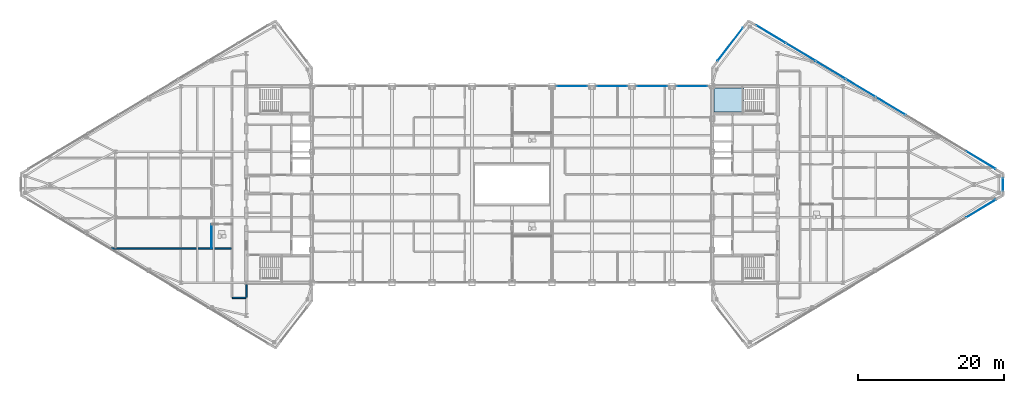
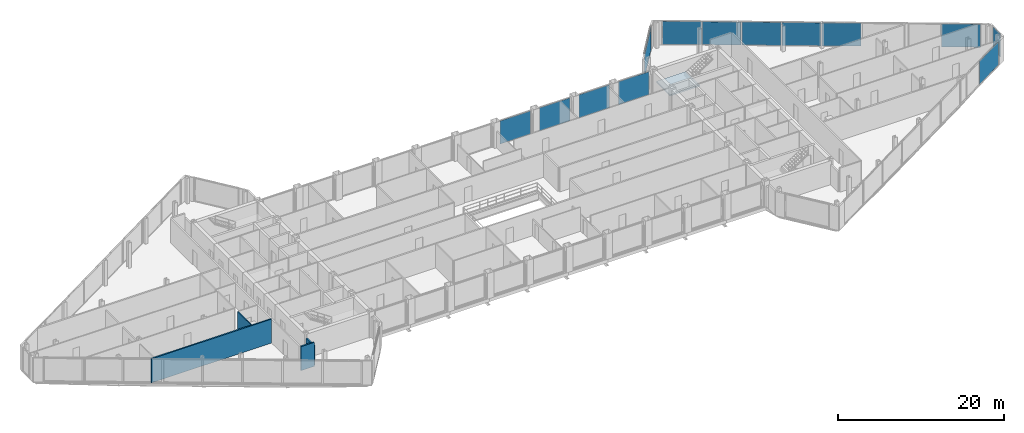
# One storey, part 20 of 29: 13 plates, 4 walls, 1 slab, 9 elements without a shape of their own.
"""IFC4 building model written with IfcOpenShell, lengths in metres."""

from ifc_helpers import new_model, si_unit, direction, frame, frame_2d, origin, origin_2d, place, context, subcontext, project, spatial, polyline, rectangle, outline, extrude, source, transform, mapped, material, layer, layer_set, type_object, type_shapes, element, aggregate, save


model = new_model("IFC4")

# Units and contexts
model_context = context("Model", 3, precision=1e-05, world=origin(), true_north=direction((0.0, 1.0)))
body_context = subcontext(model_context, "Body", "Model", "MODEL_VIEW")
ifc_project = project(units=[si_unit("LENGTHUNIT", "METRE"), si_unit("AREAUNIT", "SQUARE_METRE"), si_unit("VOLUMEUNIT", "CUBIC_METRE"), si_unit("PLANEANGLEUNIT", "RADIAN"), si_unit("MASSUNIT", "GRAM", prefix="KILO")], contexts=[model_context])

# Site, building, storey
site_placement = place(None, origin())
site = spatial("IfcSite", under=ifc_project, at=site_placement, CompositionType="ELEMENT")
building_placement = place(site_placement, origin())
building = spatial("IfcBuilding", under=site, at=building_placement, Name="Seokmaru Belvedere", CompositionType="ELEMENT")
storey_placement = place(building_placement, frame((0.0, 0.0, 243.14990234375)))
storey = spatial("IfcBuildingStorey", under=building, at=storey_placement, Name="L64", CompositionType="ELEMENT", Elevation=243.14990234375)

# Stair, slab
ifc_material_1 = material(Name="Concrete C40 (40 MPa)", Category="concrete")
stair_type = type_object("IfcStairType", Name="Sky-Gate Residential Core Dog-Leg Stair 3750", PredefinedType="TWO_STRAIGHT_RUN_STAIR", material=ifc_material_1)
stair_placement = place(storey_placement, origin())
stair = element("IfcStair", 1, at=stair_placement, inside=storey, type_object=stair_type, Name="L64 Special Escape Stair ST-E2", PredefinedType="TWO_STRAIGHT_RUN_STAIR")
ifc_layer_1 = layer(ifc_material_1, 0.199951171875)
ifc_layer_set_1 = layer_set([ifc_layer_1], Name="Concrete C40 (40 MPa)")
slab_type = type_object("IfcSlabType", Name="Reinforced Concrete Stair Landing Slab 200", PredefinedType="LANDING", material=ifc_layer_set_1)
slab_placement = place(storey_placement, frame((0.0, 0.0, 1.675048828125)))
slab = element("IfcSlab", 2, at=slab_placement, type_object=slab_type, Name="ST-E2 landing 1", PredefinedType="LANDING", context=body_context, shape_type="SweptSolid", body=[
    extrude(outline(polyline([(27.760009765625, 9.949951171875), (31.8798828125, 9.949951171875), (31.8798828125, 13.239990234375), (27.760009765625, 13.239990234375), (27.760009765625, 9.949951171875)])), origin(), (0.0, 0.0, 1.0), 0.199951171875),
])
aggregate(stair, [slab])

# Curtain wall, plate
ifc_material_2 = material(Name="Bronze Triple Insulating Glass", Category="glass")
ifc_layer_2 = layer(ifc_material_2, 0.219970703125)
ifc_layer_set_2 = layer_set([ifc_layer_2], Name="Bronze Triple Insulating Glass")
curtain_wall_type = type_object("IfcCurtainWallType", Name="Sky-Gate Bridge Panorama Curtain Wall System CW-6", PredefinedType="NOTDEFINED", material=ifc_layer_set_2)
curtain_wall_1_placement = place(storey_placement, origin())
curtain_wall_1 = element("IfcCurtainWall", 3, at=curtain_wall_1_placement, inside=storey, type_object=curtain_wall_type, Name="L64 Curtain Wall EF4", PredefinedType="NOTDEFINED")
ifc_layer_3 = layer(ifc_material_2, 0.0419921875)
ifc_layer_set_3 = layer_set([ifc_layer_3], Name="Bronze Triple Insulating Glass")
plate_type = type_object("IfcPlateType", Name="Acoustic Laminated Panorama Glazing Panel 42", PredefinedType="CURTAIN_PANEL", material=ifc_layer_set_3)
shared_shape_1 = source(origin(), body_context, "Body", "SweptSolid", [
    extrude(rectangle(XDim=5.740478515625, YDim=0.0419921875, at=origin_2d()), origin(), (0.0, 0.0, 1.0), 3.3798828125),
])
plate_1_placement = place(storey_placement, frame((30.0, 19.25, 0.0751953125), z_axis=(0.0, 0.0, 1.0), x_axis=(-0.609701187349, -0.792631353244, 0.0)))
plate_1 = element("IfcPlate", 4, at=plate_1_placement, type_object=plate_type, Name="CW:L64:EF4 Glazing Panel 1-1", PredefinedType="CURTAIN_PANEL", context=body_context, shape_type="MappedRepresentation", body=[
    mapped(shared_shape_1, transform((0.0, 0.0, 0.0), scale=1.0)),
])
aggregate(curtain_wall_1, [plate_1])

curtain_wall_2_placement = place(storey_placement, origin())
curtain_wall_2 = element("IfcCurtainWall", 5, at=curtain_wall_2_placement, inside=storey, type_object=curtain_wall_type, Name="L64 Curtain Wall EF1", PredefinedType="NOTDEFINED")
shared_shape_2 = source(origin(), body_context, "Body", "SweptSolid", [
    extrude(rectangle(XDim=4.694580078125, YDim=0.0419921875, at=origin_2d()), origin(), (0.0, 0.0, 1.0), 3.3798828125),
])
plate_2_placement = place(storey_placement, frame((64.4326171875, -3.340576171875, 0.0751953125), z_axis=(0.0, 0.0, 1.0), x_axis=(0.85749343335, 0.514494909364, 0.0)))
plate_2 = element("IfcPlate", 6, at=plate_2_placement, type_object=plate_type, Name="CW:L64:EF1 Glazing Panel 8-1", PredefinedType="CURTAIN_PANEL", context=body_context, shape_type="MappedRepresentation", body=[
    mapped(shared_shape_2, transform((0.0, 0.0, 0.0), scale=1.0)),
])
aggregate(curtain_wall_2, [plate_2])

# Curtain wall, plates
curtain_wall_3_placement = place(storey_placement, origin())
curtain_wall_3 = element("IfcCurtainWall", 7, at=curtain_wall_3_placement, inside=storey, type_object=curtain_wall_type, Name="L64 Curtain Wall EF3", PredefinedType="NOTDEFINED")
plate_3_placement = place(storey_placement, frame((64.4326171875, 3.340576171875, 0.0751953125), z_axis=(0.0, 0.0, 1.0), x_axis=(-0.85749343335, 0.514494909364, 0.0)))
plate_3 = element("IfcPlate", 8, at=plate_3_placement, type_object=plate_type, Name="CW:L64:EF3 Glazing Panel 1-1", PredefinedType="CURTAIN_PANEL", context=body_context, shape_type="MappedRepresentation", body=[
    mapped(shared_shape_2, transform((0.0, 0.0, 0.0), scale=1.0)),
])
plate_4_placement = place(storey_placement, frame((35.5673828125, 20.659423828125, 0.0751953125), z_axis=(0.0, 0.0, 1.0), x_axis=(-0.85749343335, 0.514494909364, 0.0)))
plate_4 = element("IfcPlate", 9, at=plate_4_placement, type_object=plate_type, Name="CW:L64:EF3 Glazing Panel 8-1", PredefinedType="CURTAIN_PANEL", context=body_context, shape_type="MappedRepresentation", body=[
    mapped(shared_shape_2, transform((0.0, 0.0, 0.0), scale=1.0)),
])
shared_shape_3 = source(origin(), body_context, "Body", "SweptSolid", [
    extrude(rectangle(XDim=4.734619140625, YDim=0.0419921875, at=origin_2d()), origin(), (0.0, 0.0, 1.0), 3.3798828125),
])
plate_5_placement = place(storey_placement, frame((52.064208984375, 10.761474609375, 0.0751953125), z_axis=(0.0, 0.0, 1.0), x_axis=(-0.85749343335, 0.514494909364, 0.0)))
plate_5 = element("IfcPlate", 10, at=plate_5_placement, type_object=plate_type, Name="CW:L64:EF3 Glazing Panel 4-1", PredefinedType="CURTAIN_PANEL", context=body_context, shape_type="MappedRepresentation", body=[
    mapped(shared_shape_3, transform((0.0, 0.0, 0.0), scale=1.0)),
])
plate_6_placement = place(storey_placement, frame((47.935791015625, 13.238525390625, 0.0751953125), z_axis=(0.0, 0.0, 1.0), x_axis=(-0.85749343335, 0.514494909364, 0.0)))
plate_6 = element("IfcPlate", 11, at=plate_6_placement, type_object=plate_type, Name="CW:L64:EF3 Glazing Panel 5-1", PredefinedType="CURTAIN_PANEL", context=body_context, shape_type="MappedRepresentation", body=[
    mapped(shared_shape_3, transform((0.0, 0.0, 0.0), scale=1.0)),
])
plate_7_placement = place(storey_placement, frame((43.807373046875, 15.715576171875, 0.0751953125), z_axis=(0.0, 0.0, 1.0), x_axis=(-0.85749343335, 0.514494909364, 0.0)))
plate_7 = element("IfcPlate", 12, at=plate_7_placement, type_object=plate_type, Name="CW:L64:EF3 Glazing Panel 6-1", PredefinedType="CURTAIN_PANEL", context=body_context, shape_type="MappedRepresentation", body=[
    mapped(shared_shape_3, transform((0.0, 0.0, 0.0), scale=1.0)),
])
plate_8_placement = place(storey_placement, frame((39.6787109375, 18.192626953125, 0.0751953125), z_axis=(0.0, 0.0, 1.0), x_axis=(-0.85749343335, 0.514494909364, 0.0)))
plate_8 = element("IfcPlate", 13, at=plate_8_placement, type_object=plate_type, Name="CW:L64:EF3 Glazing Panel 7-1", PredefinedType="CURTAIN_PANEL", context=body_context, shape_type="MappedRepresentation", body=[
    mapped(shared_shape_3, transform((0.0, 0.0, 0.0), scale=1.0)),
])
aggregate(curtain_wall_3, [plate_3, plate_5, plate_6, plate_7, plate_8, plate_4])

# Curtain wall, plate
curtain_wall_4_placement = place(storey_placement, origin())
curtain_wall_4 = element("IfcCurtainWall", 14, at=curtain_wall_4_placement, inside=storey, type_object=curtain_wall_type, Name="L64 Curtain Wall EF2", PredefinedType="NOTDEFINED")
shared_shape_4 = source(origin(), body_context, "Body", "SweptSolid", [
    extrude(rectangle(XDim=1.739990234375, YDim=0.0419921875, at=origin_2d()), origin(), (0.0, 0.0, 1.0), 3.3798828125),
])
plate_9_placement = place(storey_placement, frame((67.5, 0.0, 0.0751953125), z_axis=(0.0, 0.0, 1.0), x_axis=(0.0, 1.0, 0.0)))
plate_9 = element("IfcPlate", 15, at=plate_9_placement, type_object=plate_type, Name="CW:L64:EF2 Glazing Panel 1-1", PredefinedType="CURTAIN_PANEL", context=body_context, shape_type="MappedRepresentation", body=[
    mapped(shared_shape_4, transform((0.0, 0.0, 0.0), scale=1.0)),
])
aggregate(curtain_wall_4, [plate_9])

curtain_wall_5_placement = place(storey_placement, origin())
curtain_wall_5 = element("IfcCurtainWall", 16, at=curtain_wall_5_placement, inside=storey, type_object=curtain_wall_type, Name="L64 Curtain Wall BR_N07", PredefinedType="NOTDEFINED")
shared_shape_5 = source(origin(), body_context, "Body", "SweptSolid", [
    extrude(rectangle(XDim=4.239990234375, YDim=0.0419921875, at=origin_2d()), origin(), (0.0, 0.0, 1.0), 3.3798828125),
])
type_shapes(plate_type, [shared_shape_1, shared_shape_2, shared_shape_3, shared_shape_4, shared_shape_5])
plate_10_placement = place(storey_placement, frame((8.25, 13.5, 0.0751953125), z_axis=(0.0, 0.0, 1.0), x_axis=(-1.0, 0.0, 0.0)))
plate_10 = element("IfcPlate", 17, at=plate_10_placement, type_object=plate_type, Name="CW:L64:BR_N07 Glazing Panel 1-1", PredefinedType="CURTAIN_PANEL", context=body_context, shape_type="MappedRepresentation", body=[
    mapped(shared_shape_5, transform((0.0, 0.0, 0.0), scale=1.0)),
])
aggregate(curtain_wall_5, [plate_10])

curtain_wall_6_placement = place(storey_placement, origin())
curtain_wall_6 = element("IfcCurtainWall", 18, at=curtain_wall_6_placement, inside=storey, type_object=curtain_wall_type, Name="L64 Curtain Wall BR_N08", PredefinedType="NOTDEFINED")
plate_11_placement = place(storey_placement, frame((13.75, 13.5, 0.0751953125), z_axis=(0.0, 0.0, 1.0), x_axis=(-1.0, 0.0, 0.0)))
plate_11 = element("IfcPlate", 19, at=plate_11_placement, type_object=plate_type, Name="CW:L64:BR_N08 Glazing Panel 1-1", PredefinedType="CURTAIN_PANEL", context=body_context, shape_type="MappedRepresentation", body=[
    mapped(shared_shape_5, transform((0.0, 0.0, 0.0), scale=1.0)),
])
aggregate(curtain_wall_6, [plate_11])

curtain_wall_7_placement = place(storey_placement, origin())
curtain_wall_7 = element("IfcCurtainWall", 20, at=curtain_wall_7_placement, inside=storey, type_object=curtain_wall_type, Name="L64 Curtain Wall BR_N09", PredefinedType="NOTDEFINED")
plate_12_placement = place(storey_placement, frame((19.25, 13.5, 0.0751953125), z_axis=(0.0, 0.0, 1.0), x_axis=(-1.0, 0.0, 0.0)))
plate_12 = element("IfcPlate", 21, at=plate_12_placement, type_object=plate_type, Name="CW:L64:BR_N09 Glazing Panel 1-1", PredefinedType="CURTAIN_PANEL", context=body_context, shape_type="MappedRepresentation", body=[
    mapped(shared_shape_5, transform((0.0, 0.0, 0.0), scale=1.0)),
])
aggregate(curtain_wall_7, [plate_12])

curtain_wall_8_placement = place(storey_placement, origin())
curtain_wall_8 = element("IfcCurtainWall", 22, at=curtain_wall_8_placement, inside=storey, type_object=curtain_wall_type, Name="L64 Curtain Wall BR_N10", PredefinedType="NOTDEFINED")
plate_13_placement = place(storey_placement, frame((24.75, 13.5, 0.0751953125), z_axis=(0.0, 0.0, 1.0), x_axis=(-1.0, 0.0, 0.0)))
plate_13 = element("IfcPlate", 23, at=plate_13_placement, type_object=plate_type, Name="CW:L64:BR_N10 Glazing Panel 1-1", PredefinedType="CURTAIN_PANEL", context=body_context, shape_type="MappedRepresentation", body=[
    mapped(shared_shape_5, transform((0.0, 0.0, 0.0), scale=1.0)),
])
aggregate(curtain_wall_8, [plate_13])

# Walls
ifc_material_3 = material(Name="Fire-Rated Gypsum Shaftwall")
ifc_layer_4 = layer(ifc_material_3, 0.199951171875)
ifc_layer_set_4 = layer_set([ifc_layer_4], Name="Fire-Rated Gypsum Shaftwall")
wall_type_1 = type_object("IfcWallType", Name="Inter-Tenancy Fire Compartment Partition 200", PredefinedType="PARTITIONING", material=ifc_layer_set_4)
wall_1_placement = place(storey_placement, frame((-38.4150390625, -15.60009765625, 0.0), z_axis=(0.0, 0.0, 1.0), x_axis=(1.0, 0.0, 0.0)))
element("IfcWall", 24, at=wall_1_placement, inside=storey, type_object=wall_type_1, Name="L64 Interior Partition 001", PredefinedType="PARTITIONING", context=body_context, shape_type="SweptSolid", body=[
    extrude(rectangle(XDim=1.830078125, YDim=0.199951171875, at=frame_2d((0.9150390625, 0.0))), origin(), (0.0, 0.0, 1.0), 3.530029296875),
])
wall_2_placement = place(storey_placement, frame((-55.343017578125, -8.800048828125, 0.0), z_axis=(0.0, 0.0, 1.0), x_axis=(1.0, 0.0, 0.0)))
element("IfcWall", 25, at=wall_2_placement, inside=storey, type_object=wall_type_1, Name="L64 Interior Partition 006", PredefinedType="PARTITIONING", context=body_context, shape_type="SweptSolid", body=[
    extrude(rectangle(XDim=16.762939453125, YDim=0.199951171875, at=frame_2d((8.38134765625, 0.0))), origin(), (0.0, 0.0, 1.0), 3.530029296875),
])
wall_3_placement = place(storey_placement, frame((-36.5, -15.514892578125, 0.0), z_axis=(0.0, 0.0, 1.0), x_axis=(0.0, 1.0, 0.0)))
element("IfcWall", 26, at=wall_3_placement, inside=storey, type_object=wall_type_1, Name="L64 Interior Partition 036", PredefinedType="PARTITIONING", context=body_context, shape_type="SweptSolid", body=[
    extrude(rectangle(XDim=1.760009765625, YDim=0.199951171875, at=frame_2d((0.8798828125, 0.0))), origin(), (0.0, 0.0, 1.0), 2.93017578125),
])
ifc_layer_5 = layer(ifc_material_3, 0.1298828125)
ifc_layer_set_5 = layer_set([ifc_layer_5], Name="Fire-Rated Gypsum Shaftwall")
wall_type_2 = type_object("IfcWallType", Name="Moisture-Resistant Fire-Rated Bathroom Partition 130", PredefinedType="PARTITIONING", material=ifc_layer_set_5)
wall_4_placement = place(storey_placement, frame((-41.300048828125, -8.75, 0.0), z_axis=(0.0, 0.0, 1.0), x_axis=(0.0, 1.0, 0.0)))
element("IfcWall", 27, at=wall_4_placement, inside=storey, type_object=wall_type_2, Name="L64 Interior Partition 032", PredefinedType="PARTITIONING", context=body_context, shape_type="SweptSolid", body=[
    extrude(rectangle(XDim=3.24609375, YDim=0.1298828125, at=frame_2d((1.623046875, 0.0))), origin(), (0.0, 0.0, 1.0), 3.530029296875),
])

save(model, "model.ifc")
